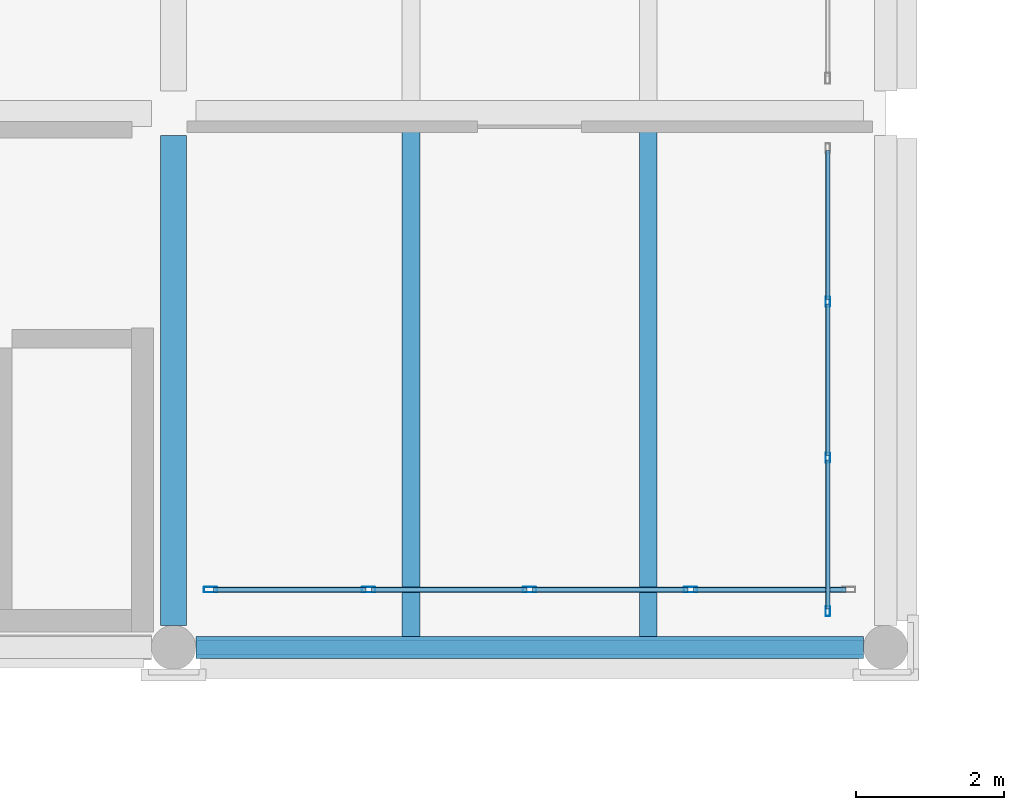
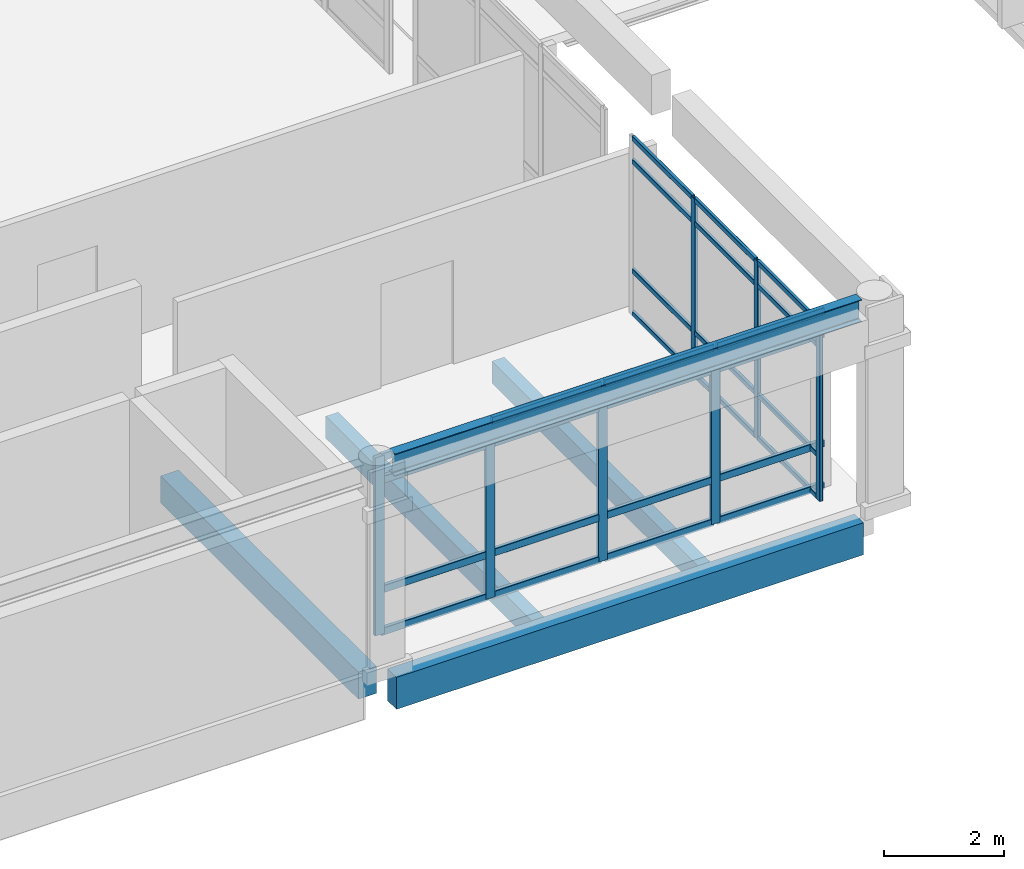
# One storey, part 61 of 180: 35 members, 5 beams, 2 elements without a shape of their own.
"""IFC4 building model written with IfcOpenShell, lengths in metres."""

import ifcopenshell
import ifcopenshell.guid

model = None  # the IFC model being written
_history = None  # IfcOwnerHistory: only IFC2X3 demands one
_inside = {}  # id of a spatial element -> (the spatial element, [elements in it])
_under = {}  # id of a project, library or spatial element -> (it, [spatial elements below it])
_declared = {}  # id of a project -> (the project, [libraries it declares])
_typed = {}  # id of a type object -> (the type object, [elements of that type])
_made_of = {}  # id of a material, layer set ... -> (it, [elements and type objects made of it])


def new_model(schema):
    """Start an empty IFC model of exactly this schema.

    Asked for "IFC4X3", IfcOpenShell would pick the latest addendum, in which some entities
    have other attributes; the version numbers below select the first issue.
    IFC2X3 requires an IfcOwnerHistory on every rooted entity: one is made here for all.
    """
    global model, _history
    if schema == "IFC4X3":
        model = ifcopenshell.file(schema_version=(4, 3, 0, 0))
    else:
        model = ifcopenshell.file(schema=schema)
    _inside.clear()
    _under.clear()
    _declared.clear()
    _typed.clear()
    _made_of.clear()
    _history = None
    if model.schema == "IFC2X3":
        org = make("IfcOrganization", Name="unknown")
        user = make(
            "IfcPersonAndOrganization",
            ThePerson=make("IfcPerson", FamilyName="unknown"),
            TheOrganization=org,
        )
        app = make(
            "IfcApplication",
            ApplicationDeveloper=org,
            Version="unknown",
            ApplicationFullName="unknown",
            ApplicationIdentifier="unknown",
        )
        _history = make(
            "IfcOwnerHistory",
            OwningUser=user,
            OwningApplication=app,
            ChangeAction="ADDED",
            CreationDate=0,
        )
    return model


def make(cls, **values):
    """One entity of the class cls with the attributes given. An attribute that is None is left unset."""
    return model.create_entity(
        cls, **{name: value for name, value in values.items() if value is not None}
    )


def rooted(cls, **values):
    """An entity with a GlobalId (a new one), such as an element, a storey or a relation."""
    return make(cls, GlobalId=ifcopenshell.guid.new(), OwnerHistory=_history, **values)


def si_unit(unit_type, name, prefix=None):
    """IfcSIUnit, for example si_unit("LENGTHUNIT", "METRE", prefix="MILLI")."""
    return make("IfcSIUnit", UnitType=unit_type, Prefix=prefix, Name=name)


def assignment(units):
    """IfcUnitAssignment: the units of a project."""
    return None if units is None else make("IfcUnitAssignment", Units=units)


def point(xyz):
    """IfcCartesianPoint."""
    return None if xyz is None else make("IfcCartesianPoint", Coordinates=xyz)


def direction(xyz):
    """IfcDirection."""
    return None if xyz is None else make("IfcDirection", DirectionRatios=xyz)


def frame(location, z_axis=None, x_axis=None):
    """IfcAxis2Placement3D, a coordinate frame: its origin and axes. An axis left out is left unset."""
    return make(
        "IfcAxis2Placement3D",
        Location=point(location),
        Axis=direction(z_axis),
        RefDirection=direction(x_axis),
    )


def frame_2d(location, x_axis=None):
    """IfcAxis2Placement2D, a coordinate frame in the plane: its origin and x axis."""
    return make(
        "IfcAxis2Placement2D", Location=point(location), RefDirection=direction(x_axis)
    )


def origin():
    """The frame at (0, 0, 0) with its axes left unset."""
    return frame((0.0, 0.0, 0.0))


def origin_2d():
    """The frame at (0, 0) in the plane with its x axis left unset."""
    return frame_2d((0.0, 0.0))


def place(relative_to, where):
    """IfcLocalPlacement: puts the frame where relative to a parent placement (None: the world)."""
    return make(
        "IfcLocalPlacement", PlacementRelTo=relative_to, RelativePlacement=where
    )


def context(
    kind, dimensions, precision=None, world=None, true_north=None, identifier=None
):
    """IfcGeometricRepresentationContext, for example the 3D "Model" context."""
    return make(
        "IfcGeometricRepresentationContext",
        ContextIdentifier=identifier,
        ContextType=kind,
        CoordinateSpaceDimension=dimensions,
        Precision=precision,
        WorldCoordinateSystem=world,
        TrueNorth=true_north,
    )


def subcontext(parent, identifier, kind, view, scale=None):
    """IfcGeometricRepresentationSubContext, for example "Body" below "Model"."""
    return make(
        "IfcGeometricRepresentationSubContext",
        ContextIdentifier=identifier,
        ContextType=kind,
        ParentContext=parent,
        TargetScale=scale,
        TargetView=view,
    )


def project(units=None, contexts=None):
    """IfcProject with its units and contexts."""
    return rooted(
        "IfcProject",
        Name="project",
        RepresentationContexts=contexts,
        UnitsInContext=assignment(units),
    )


def spatial(cls, under=None, at=None, **own):
    """A site, building, storey or space (cls), placed at a placement, below another one or the project."""
    s = rooted(cls, ObjectPlacement=at, **own)
    if under is not None:
        _under.setdefault(under.id(), (under, []))[1].append(s)
    return s


def profile(cls, at=None, kind="AREA", **sizes):
    """A parametric profile (cls). Its sizes go by their IFC names, for example OverallWidth=200.0."""
    return make(cls, ProfileType=kind, Position=at, **sizes)


def rectangle(**sizes):
    """IfcRectangleProfileDef."""
    return profile("IfcRectangleProfileDef", **sizes)


def hollow_rectangle(**sizes):
    """IfcRectangleHollowProfileDef."""
    return profile("IfcRectangleHollowProfileDef", **sizes)


def i_section(**sizes):
    """IfcIShapeProfileDef."""
    return profile("IfcIShapeProfileDef", **sizes)


def extrude(swept, where, along, depth):
    """IfcExtrudedAreaSolid: the profile swept, set in the frame where, extruded along a direction by depth."""
    return make(
        "IfcExtrudedAreaSolid",
        SweptArea=swept,
        Position=where,
        ExtrudedDirection=direction(along),
        Depth=depth,
    )


def shape(context_of_items, identifier, shape_type, items):
    """IfcShapeRepresentation: the items that make up one representation, for example the "Body"."""
    return make(
        "IfcShapeRepresentation",
        ContextOfItems=context_of_items,
        RepresentationIdentifier=identifier,
        RepresentationType=shape_type,
        Items=items,
    )


def material(Name=None, Category=None):
    """IfcMaterial."""
    return make("IfcMaterial", Name=Name, Category=Category)


def layer(
    of_material, thickness, ventilated=None, Name=None, Category=None, Priority=None
):
    """IfcMaterialLayer: one layer of a wall or slab, of a material (None: an air gap)."""
    return make(
        "IfcMaterialLayer",
        Material=of_material,
        LayerThickness=thickness,
        IsVentilated=ventilated,
        Name=Name,
        Category=Category,
        Priority=Priority,
    )


def layer_set(layers, Name=None):
    """IfcMaterialLayerSet."""
    return make("IfcMaterialLayerSet", MaterialLayers=layers, LayerSetName=Name)


def material_profile(
    of_material, cross_section, Name=None, Category=None, Priority=None
):
    """IfcMaterialProfile: a cross section and its material."""
    return make(
        "IfcMaterialProfile",
        Name=Name,
        Material=of_material,
        Profile=cross_section,
        Priority=Priority,
        Category=Category,
    )


def profile_set(profiles, Name=None, composite=None):
    """IfcMaterialProfileSet."""
    return make(
        "IfcMaterialProfileSet",
        Name=Name,
        MaterialProfiles=profiles,
        CompositeProfile=composite,
    )


def made_of(thing, what):
    """Note that an element or type object is made of a material, layer set ...; save() writes the relation."""
    if what is not None:
        _made_of.setdefault(what.id(), (what, []))[1].append(thing)
    return thing


def type_object(cls, material=None, **own):
    """A type object (cls), such as IfcWallType, which elements share."""
    return made_of(rooted(cls, **own), material)


def element(
    cls,
    number,
    at=None,
    inside=None,
    cuts=None,
    type_object=None,
    material=None,
    context=None,
    identifier="Body",
    shape_type=None,
    held_by="IfcProductDefinitionShape",
    body=None,
    shapes=None,
    **own,
):
    """One element of the class cls, such as IfcWall. Its Tag is "e" and its number.

    at: its placement. inside: the storey or other place that contains it. cuts: it is an
    opening in that element (IfcRelVoidsElement). A single representation is given by context,
    identifier, shape_type and body (its items); several are given by shapes. held_by: the class
    of the entity that holds the representations. save() writes the other relations.
    """
    e = rooted(cls, Tag="e%d" % number, ObjectPlacement=at, **own)
    if body is not None:
        shapes = [shape(context, identifier, shape_type, body)]
    if shapes is not None:
        e.Representation = make(held_by, Representations=shapes)
    if inside is not None:
        _inside.setdefault(inside.id(), (inside, []))[1].append(e)
    if cuts is not None:
        rooted(
            "IfcRelVoidsElement", RelatingBuildingElement=cuts, RelatedOpeningElement=e
        )
    if type_object is not None:
        _typed.setdefault(type_object.id(), (type_object, []))[1].append(e)
    return made_of(e, material)


def aggregate(whole, parts):
    """IfcRelAggregates: a whole, such as a stair, and the parts it consists of."""
    return rooted("IfcRelAggregates", RelatingObject=whole, RelatedObjects=parts)


def save(model, path):
    """Write the relations noted so far, then the file.

    IfcRelAggregates (storeys below a building ...), IfcRelContainedInSpatialStructure (elements
    in a storey), IfcRelDefinesByType, IfcRelAssociatesMaterial and IfcRelDeclares: one each for
    every whole, place, type object, material and project.
    """
    for whole, parts in _under.values():
        aggregate(whole, parts)
    for where, things in _inside.values():
        rooted(
            "IfcRelContainedInSpatialStructure",
            RelatedElements=things,
            RelatingStructure=where,
        )
    for kind, things in _typed.values():
        rooted("IfcRelDefinesByType", RelatedObjects=things, RelatingType=kind)
    for what, things in _made_of.values():
        rooted("IfcRelAssociatesMaterial", RelatedObjects=things, RelatingMaterial=what)
    for by, libraries in _declared.values():
        rooted("IfcRelDeclares", RelatingContext=by, RelatedDefinitions=libraries)
    model.write(path)


model = new_model("IFC4")

# Units and contexts
model_context = context("Model", 3, precision=1e-05, world=origin(), true_north=direction((0.0, 1.0)))
body_context = subcontext(model_context, "Body", "Model", "MODEL_VIEW")
ifc_project = project(units=[si_unit("LENGTHUNIT", "METRE"), si_unit("AREAUNIT", "SQUARE_METRE"), si_unit("VOLUMEUNIT", "CUBIC_METRE"), si_unit("PLANEANGLEUNIT", "RADIAN"), si_unit("MASSUNIT", "GRAM", prefix="KILO")], contexts=[model_context])

# Site, building, storey
site_placement = place(None, origin())
site = spatial("IfcSite", under=ifc_project, at=site_placement, CompositionType="ELEMENT")
building_placement = place(site_placement, origin())
building = spatial("IfcBuilding", under=site, at=building_placement, Name="Asteropetra Specialist Clinic", CompositionType="ELEMENT")
storey_placement = place(building_placement, frame((0.0, 0.0, 4.419921875)))
storey = spatial("IfcBuildingStorey", under=building, at=storey_placement, Name="L01", CompositionType="ELEMENT", Elevation=4.419921875)

# Beams
ifc_material_1 = material(Name="Concrete C35/45", Category="concrete")
ifc_material_profile_1 = material_profile(ifc_material_1, rectangle(XDim=0.35009765625, YDim=0.550048828125, at=origin_2d()), Name="RCB 350x550")
ifc_profile_set_1 = profile_set([ifc_material_profile_1], Name="Concrete C35/45")
beam_type_1 = type_object("IfcBeamType", Name="BM-RC350x550", PredefinedType="BEAM", material=ifc_profile_set_1)
beam_1_placement = place(storey_placement, frame((86.39990234375, 33.89990234375, -0.534912109375), z_axis=(0.0, 1.0, 0.0), x_axis=(-1.0, 0.0, 0.0)))
element("IfcBeam", 1, at=beam_1_placement, inside=storey, type_object=beam_type_1, Name="Beam BBM10-0775", PredefinedType="BEAM", context=body_context, shape_type="SweptSolid", body=[
    extrude(rectangle(XDim=0.35009765625, YDim=0.550048828125, at=origin_2d()), origin(), (0.0, 0.0, 1.0), 6.60009765625),
])
ifc_material_2 = material(Name="Steel S355", Category="steel")
ifc_material_profile_2 = material_profile(ifc_material_2, i_section(OverallWidth=0.18994140625, OverallDepth=0.449951171875, WebThickness=0.009521484375, FlangeThickness=0.0146484375, FilletRadius=0.02099609375, at=origin_2d()), Name="IPE 450")
ifc_profile_set_2 = profile_set([ifc_material_profile_2], Name="Steel S355")
beam_type_2 = type_object("IfcBeamType", Name="BM-STL-IPE450", PredefinedType="BEAM", material=ifc_profile_set_2)
beam_2_placement = place(storey_placement, frame((86.699951171875, 33.60009765625, 4.030029296875), z_axis=(1.0, 0.0, 0.0), x_axis=(0.0, 1.0, 0.0)))
element("IfcBeam", 2, at=beam_2_placement, inside=storey, type_object=beam_type_2, Name="Pavilion Eave Girder EG3-86-33", PredefinedType="BEAM", context=body_context, shape_type="SweptSolid", body=[
    extrude(i_section(OverallWidth=0.18994140625, OverallDepth=0.449951171875, WebThickness=0.009521484375, FlangeThickness=0.0146484375, FilletRadius=0.02099609375, at=origin_2d()), origin(), (0.0, 0.0, 1.0), 9.0),
])

# Curtain wall, members
ifc_material_3 = material(Name="Aluminium and low-E glass", Category="aluminium")
ifc_layer = layer(ifc_material_3, 0.14990234375)
ifc_layer_set = layer_set([ifc_layer], Name="Aluminium and low-E glass")
curtain_wall_type = type_object("IfcCurtainWallType", Name="CW-SYS-11", PredefinedType="USERDEFINED", material=ifc_layer_set)
curtain_wall_1_placement = place(storey_placement, origin())
curtain_wall_1 = element("IfcCurtainWall", 3, at=curtain_wall_1_placement, inside=storey, type_object=curtain_wall_type, Name="Curtain Wall CW-176", ObjectType="STICK GLAZED COLONNADE", PredefinedType="USERDEFINED")
ifc_material_4 = material(Name="Aluminium 6063-T6", Category="aluminium")
ifc_material_profile_3 = material_profile(ifc_material_4, hollow_rectangle(XDim=0.06005859375, YDim=0.135009765625, WallThickness=0.00341796875, InnerFilletRadius=0.00341796875, OuterFilletRadius=0.007080078125, at=origin_2d()), Name="MUL 135x60x3.5")
ifc_profile_set_3 = profile_set([ifc_material_profile_3], Name="Aluminium 6063-T6")
member_type_1 = type_object("IfcMemberType", Name="CWM-135x60", PredefinedType="MULLION", material=ifc_profile_set_3)
member_1_placement = place(storey_placement, frame((95.219970703125, 34.090087890625, 0.0), z_axis=(0.0, 0.0, 1.0), x_axis=(-1.0, 0.0, 0.0)))
member_1 = element("IfcMember", 4, at=member_1_placement, type_object=member_type_1, Name="CW-176 mullion 1", PredefinedType="MULLION", context=body_context, shape_type="SweptSolid", body=[
    extrude(hollow_rectangle(XDim=0.06005859375, YDim=0.135009765625, WallThickness=0.00341796875, InnerFilletRadius=0.00341796875, OuterFilletRadius=0.007080078125, at=origin_2d()), origin(), (0.0, 0.0, 1.0), 3.630126953125),
])
member_2_placement = place(storey_placement, frame((95.219970703125, 36.159912109375, 0.0), z_axis=(0.0, 0.0, 1.0), x_axis=(-1.0, 0.0, 0.0)))
member_2 = element("IfcMember", 5, at=member_2_placement, type_object=member_type_1, Name="CW-176 mullion 2", PredefinedType="MULLION", context=body_context, shape_type="SweptSolid", body=[
    extrude(hollow_rectangle(XDim=0.06005859375, YDim=0.135009765625, WallThickness=0.00341796875, InnerFilletRadius=0.00341796875, OuterFilletRadius=0.007080078125, at=origin_2d()), origin(), (0.0, 0.0, 1.0), 3.630126953125),
])
member_3_placement = place(storey_placement, frame((95.219970703125, 38.260009765625, 0.0), z_axis=(0.0, 0.0, 1.0), x_axis=(-1.0, 0.0, 0.0)))
member_3 = element("IfcMember", 6, at=member_3_placement, type_object=member_type_1, Name="CW-176 mullion 3", PredefinedType="MULLION", context=body_context, shape_type="SweptSolid", body=[
    extrude(hollow_rectangle(XDim=0.06005859375, YDim=0.135009765625, WallThickness=0.00341796875, InnerFilletRadius=0.00341796875, OuterFilletRadius=0.007080078125, at=origin_2d()), origin(), (0.0, 0.0, 1.0), 3.630126953125),
])

curtain_wall_2_placement = place(storey_placement, origin())
curtain_wall_2 = element("IfcCurtainWall", 7, at=curtain_wall_2_placement, inside=storey, type_object=curtain_wall_type, Name="Curtain Wall CW-174", ObjectType="STICK GLAZED COLONNADE", PredefinedType="USERDEFINED")
ifc_material_5 = material(Name="Aluminium 6063-T6", Category="aluminium")
ifc_material_profile_4 = material_profile(ifc_material_5, hollow_rectangle(XDim=0.074951171875, YDim=0.179931640625, WallThickness=0.00390625, InnerFilletRadius=0.00390625, OuterFilletRadius=0.008056640625, at=origin_2d()), Name="MUL 180x75x4.0")
ifc_profile_set_4 = profile_set([ifc_material_profile_4], Name="Aluminium 6063-T6")
member_type_2 = type_object("IfcMemberType", Name="CWM-180x75", PredefinedType="MULLION", material=ifc_profile_set_4)
member_4_placement = place(storey_placement, frame((86.8974609375, 34.3798828125, 0.0), z_axis=(0.0, 0.0, 1.0), x_axis=(0.0, 1.0, 0.0)))
member_4 = element("IfcMember", 8, at=member_4_placement, type_object=member_type_2, Name="CW-174 mullion 1", PredefinedType="MULLION", context=body_context, shape_type="SweptSolid", body=[
    extrude(hollow_rectangle(XDim=0.074951171875, YDim=0.179931640625, WallThickness=0.00390625, InnerFilletRadius=0.00390625, OuterFilletRadius=0.008056640625, at=origin_2d()), origin(), (0.0, 0.0, 1.0), 3.630126953125),
])
member_5_placement = place(storey_placement, frame((89.030029296875, 34.3798828125, 0.0), z_axis=(0.0, 0.0, 1.0), x_axis=(0.0, 1.0, 0.0)))
member_5 = element("IfcMember", 9, at=member_5_placement, type_object=member_type_2, Name="CW-174 mullion 2", PredefinedType="MULLION", context=body_context, shape_type="SweptSolid", body=[
    extrude(hollow_rectangle(XDim=0.074951171875, YDim=0.179931640625, WallThickness=0.00390625, InnerFilletRadius=0.00390625, OuterFilletRadius=0.008056640625, at=origin_2d()), origin(), (0.0, 0.0, 1.0), 3.630126953125),
])
member_6_placement = place(storey_placement, frame((91.199951171875, 34.3798828125, 0.0), z_axis=(0.0, 0.0, 1.0), x_axis=(0.0, 1.0, 0.0)))
member_6 = element("IfcMember", 10, at=member_6_placement, type_object=member_type_2, Name="CW-174 mullion 3", PredefinedType="MULLION", context=body_context, shape_type="SweptSolid", body=[
    extrude(hollow_rectangle(XDim=0.074951171875, YDim=0.179931640625, WallThickness=0.00390625, InnerFilletRadius=0.00390625, OuterFilletRadius=0.008056640625, at=origin_2d()), origin(), (0.0, 0.0, 1.0), 3.630126953125),
])
member_7_placement = place(storey_placement, frame((93.3701171875, 34.3798828125, 0.0), z_axis=(0.0, 0.0, 1.0), x_axis=(0.0, 1.0, 0.0)))
member_7 = element("IfcMember", 11, at=member_7_placement, type_object=member_type_2, Name="CW-174 mullion 4", PredefinedType="MULLION", context=body_context, shape_type="SweptSolid", body=[
    extrude(hollow_rectangle(XDim=0.074951171875, YDim=0.179931640625, WallThickness=0.00390625, InnerFilletRadius=0.00390625, OuterFilletRadius=0.008056640625, at=origin_2d()), origin(), (0.0, 0.0, 1.0), 3.630126953125),
])

# Member
ifc_material_6 = material(Name="Aluminium 6063-T6", Category="aluminium")
ifc_material_profile_5 = material_profile(ifc_material_6, hollow_rectangle(XDim=0.06005859375, YDim=0.10009765625, WallThickness=0.00341796875, InnerFilletRadius=0.00341796875, OuterFilletRadius=0.007080078125, at=origin_2d()), Name="TRN 100x60x3.5")
ifc_profile_set_5 = profile_set([ifc_material_profile_5], Name="Aluminium 6063-T6")
member_type_3 = type_object("IfcMemberType", Name="CWT-100x60", PredefinedType="USERDEFINED", material=ifc_profile_set_5)
member_8_placement = place(storey_placement, frame((95.219970703125, 34.1201171875, 0.030029296875), z_axis=(0.0, 1.0, 0.0), x_axis=(-1.0, 0.0, 0.0)))
member_8 = element("IfcMember", 12, at=member_8_placement, type_object=member_type_3, Name="CW-176 transom 1.1", ObjectType="TRANSOM", PredefinedType="USERDEFINED", context=body_context, shape_type="SweptSolid", body=[
    extrude(hollow_rectangle(XDim=0.06005859375, YDim=0.10009765625, WallThickness=0.00341796875, InnerFilletRadius=0.00341796875, OuterFilletRadius=0.007080078125, at=origin_2d()), origin(), (0.0, 0.0, 1.0), 2.009765625),
])

member_9_placement = place(storey_placement, frame((95.219970703125, 34.1201171875, 0.900146484375), z_axis=(0.0, 1.0, 0.0), x_axis=(-1.0, 0.0, 0.0)))
member_9 = element("IfcMember", 13, at=member_9_placement, type_object=member_type_3, Name="CW-176 transom 1.2", ObjectType="TRANSOM", PredefinedType="USERDEFINED", context=body_context, shape_type="SweptSolid", body=[
    extrude(hollow_rectangle(XDim=0.06005859375, YDim=0.10009765625, WallThickness=0.00341796875, InnerFilletRadius=0.00341796875, OuterFilletRadius=0.007080078125, at=origin_2d()), origin(), (0.0, 0.0, 1.0), 2.009765625),
])

member_10_placement = place(storey_placement, frame((95.219970703125, 34.1201171875, 3.130126953125), z_axis=(0.0, 1.0, 0.0), x_axis=(-1.0, 0.0, 0.0)))
member_10 = element("IfcMember", 14, at=member_10_placement, type_object=member_type_3, Name="CW-176 transom 1.3", ObjectType="TRANSOM", PredefinedType="USERDEFINED", context=body_context, shape_type="SweptSolid", body=[
    extrude(hollow_rectangle(XDim=0.06005859375, YDim=0.10009765625, WallThickness=0.00341796875, InnerFilletRadius=0.00341796875, OuterFilletRadius=0.007080078125, at=origin_2d()), origin(), (0.0, 0.0, 1.0), 2.009765625),
])

member_11_placement = place(storey_placement, frame((95.219970703125, 34.1201171875, 3.60009765625), z_axis=(0.0, 1.0, 0.0), x_axis=(-1.0, 0.0, 0.0)))
member_11 = element("IfcMember", 15, at=member_11_placement, type_object=member_type_3, Name="CW-176 transom 1.4", ObjectType="TRANSOM", PredefinedType="USERDEFINED", context=body_context, shape_type="SweptSolid", body=[
    extrude(hollow_rectangle(XDim=0.06005859375, YDim=0.10009765625, WallThickness=0.00341796875, InnerFilletRadius=0.00341796875, OuterFilletRadius=0.007080078125, at=origin_2d()), origin(), (0.0, 0.0, 1.0), 2.009765625),
])

member_12_placement = place(storey_placement, frame((95.219970703125, 36.18994140625, 0.030029296875), z_axis=(0.0, 1.0, 0.0), x_axis=(-1.0, 0.0, 0.0)))
member_12 = element("IfcMember", 16, at=member_12_placement, type_object=member_type_3, Name="CW-176 transom 2.1", ObjectType="TRANSOM", PredefinedType="USERDEFINED", context=body_context, shape_type="SweptSolid", body=[
    extrude(hollow_rectangle(XDim=0.06005859375, YDim=0.10009765625, WallThickness=0.00341796875, InnerFilletRadius=0.00341796875, OuterFilletRadius=0.007080078125, at=origin_2d()), origin(), (0.0, 0.0, 1.0), 2.0400390625),
])

member_13_placement = place(storey_placement, frame((95.219970703125, 36.18994140625, 0.900146484375), z_axis=(0.0, 1.0, 0.0), x_axis=(-1.0, 0.0, 0.0)))
member_13 = element("IfcMember", 17, at=member_13_placement, type_object=member_type_3, Name="CW-176 transom 2.2", ObjectType="TRANSOM", PredefinedType="USERDEFINED", context=body_context, shape_type="SweptSolid", body=[
    extrude(hollow_rectangle(XDim=0.06005859375, YDim=0.10009765625, WallThickness=0.00341796875, InnerFilletRadius=0.00341796875, OuterFilletRadius=0.007080078125, at=origin_2d()), origin(), (0.0, 0.0, 1.0), 2.0400390625),
])

member_14_placement = place(storey_placement, frame((95.219970703125, 36.18994140625, 3.130126953125), z_axis=(0.0, 1.0, 0.0), x_axis=(-1.0, 0.0, 0.0)))
member_14 = element("IfcMember", 18, at=member_14_placement, type_object=member_type_3, Name="CW-176 transom 2.3", ObjectType="TRANSOM", PredefinedType="USERDEFINED", context=body_context, shape_type="SweptSolid", body=[
    extrude(hollow_rectangle(XDim=0.06005859375, YDim=0.10009765625, WallThickness=0.00341796875, InnerFilletRadius=0.00341796875, OuterFilletRadius=0.007080078125, at=origin_2d()), origin(), (0.0, 0.0, 1.0), 2.0400390625),
])

member_15_placement = place(storey_placement, frame((95.219970703125, 36.18994140625, 3.60009765625), z_axis=(0.0, 1.0, 0.0), x_axis=(-1.0, 0.0, 0.0)))
member_15 = element("IfcMember", 19, at=member_15_placement, type_object=member_type_3, Name="CW-176 transom 2.4", ObjectType="TRANSOM", PredefinedType="USERDEFINED", context=body_context, shape_type="SweptSolid", body=[
    extrude(hollow_rectangle(XDim=0.06005859375, YDim=0.10009765625, WallThickness=0.00341796875, InnerFilletRadius=0.00341796875, OuterFilletRadius=0.007080078125, at=origin_2d()), origin(), (0.0, 0.0, 1.0), 2.0400390625),
])

member_16_placement = place(storey_placement, frame((95.219970703125, 38.2900390625, 0.030029296875), z_axis=(0.0, 1.0, 0.0), x_axis=(-1.0, 0.0, 0.0)))
member_16 = element("IfcMember", 20, at=member_16_placement, type_object=member_type_3, Name="CW-176 transom 3.1", ObjectType="TRANSOM", PredefinedType="USERDEFINED", context=body_context, shape_type="SweptSolid", body=[
    extrude(hollow_rectangle(XDim=0.06005859375, YDim=0.10009765625, WallThickness=0.00341796875, InnerFilletRadius=0.00341796875, OuterFilletRadius=0.007080078125, at=origin_2d()), origin(), (0.0, 0.0, 1.0), 2.010009765625),
])

member_17_placement = place(storey_placement, frame((95.219970703125, 38.2900390625, 0.900146484375), z_axis=(0.0, 1.0, 0.0), x_axis=(-1.0, 0.0, 0.0)))
member_17 = element("IfcMember", 21, at=member_17_placement, type_object=member_type_3, Name="CW-176 transom 3.2", ObjectType="TRANSOM", PredefinedType="USERDEFINED", context=body_context, shape_type="SweptSolid", body=[
    extrude(hollow_rectangle(XDim=0.06005859375, YDim=0.10009765625, WallThickness=0.00341796875, InnerFilletRadius=0.00341796875, OuterFilletRadius=0.007080078125, at=origin_2d()), origin(), (0.0, 0.0, 1.0), 2.010009765625),
])

member_18_placement = place(storey_placement, frame((95.219970703125, 38.2900390625, 3.130126953125), z_axis=(0.0, 1.0, 0.0), x_axis=(-1.0, 0.0, 0.0)))
member_18 = element("IfcMember", 22, at=member_18_placement, type_object=member_type_3, Name="CW-176 transom 3.3", ObjectType="TRANSOM", PredefinedType="USERDEFINED", context=body_context, shape_type="SweptSolid", body=[
    extrude(hollow_rectangle(XDim=0.06005859375, YDim=0.10009765625, WallThickness=0.00341796875, InnerFilletRadius=0.00341796875, OuterFilletRadius=0.007080078125, at=origin_2d()), origin(), (0.0, 0.0, 1.0), 2.010009765625),
])

member_19_placement = place(storey_placement, frame((95.219970703125, 38.2900390625, 3.60009765625), z_axis=(0.0, 1.0, 0.0), x_axis=(-1.0, 0.0, 0.0)))
member_19 = element("IfcMember", 23, at=member_19_placement, type_object=member_type_3, Name="CW-176 transom 3.4", ObjectType="TRANSOM", PredefinedType="USERDEFINED", context=body_context, shape_type="SweptSolid", body=[
    extrude(hollow_rectangle(XDim=0.06005859375, YDim=0.10009765625, WallThickness=0.00341796875, InnerFilletRadius=0.00341796875, OuterFilletRadius=0.007080078125, at=origin_2d()), origin(), (0.0, 0.0, 1.0), 2.010009765625),
])

aggregate(curtain_wall_1, [member_1, member_2, member_3, member_8, member_9, member_10, member_11, member_12, member_13, member_14, member_15, member_16, member_17, member_18, member_19])

ifc_material_7 = material(Name="Aluminium 6063-T6", Category="aluminium")
ifc_material_profile_6 = material_profile(ifc_material_7, hollow_rectangle(XDim=0.074951171875, YDim=0.14990234375, WallThickness=0.00390625, InnerFilletRadius=0.00390625, OuterFilletRadius=0.008056640625, at=origin_2d()), Name="TRN 150x75x4.0")
ifc_profile_set_6 = profile_set([ifc_material_profile_6], Name="Aluminium 6063-T6")
member_type_4 = type_object("IfcMemberType", Name="CWT-150x75", PredefinedType="USERDEFINED", material=ifc_profile_set_6)
member_20_placement = place(storey_placement, frame((86.93505859375, 34.3798828125, 0.03759765625), z_axis=(1.0, 0.0, 0.0), x_axis=(0.0, 1.0, 0.0)))
member_20 = element("IfcMember", 24, at=member_20_placement, type_object=member_type_4, Name="CW-174 transom 1.1", ObjectType="TRANSOM", PredefinedType="USERDEFINED", context=body_context, shape_type="SweptSolid", body=[
    extrude(hollow_rectangle(XDim=0.074951171875, YDim=0.14990234375, WallThickness=0.00390625, InnerFilletRadius=0.00390625, OuterFilletRadius=0.008056640625, at=origin_2d()), origin(), (0.0, 0.0, 1.0), 2.057373046875),
])

member_21_placement = place(storey_placement, frame((86.93505859375, 34.3798828125, 0.900146484375), z_axis=(1.0, 0.0, 0.0), x_axis=(0.0, 1.0, 0.0)))
member_21 = element("IfcMember", 25, at=member_21_placement, type_object=member_type_4, Name="CW-174 transom 1.2", ObjectType="TRANSOM", PredefinedType="USERDEFINED", context=body_context, shape_type="SweptSolid", body=[
    extrude(hollow_rectangle(XDim=0.074951171875, YDim=0.14990234375, WallThickness=0.00390625, InnerFilletRadius=0.00390625, OuterFilletRadius=0.008056640625, at=origin_2d()), origin(), (0.0, 0.0, 1.0), 2.057373046875),
])

member_22_placement = place(storey_placement, frame((86.93505859375, 34.3798828125, 3.130126953125), z_axis=(1.0, 0.0, 0.0), x_axis=(0.0, 1.0, 0.0)))
member_22 = element("IfcMember", 26, at=member_22_placement, type_object=member_type_4, Name="CW-174 transom 1.3", ObjectType="TRANSOM", PredefinedType="USERDEFINED", context=body_context, shape_type="SweptSolid", body=[
    extrude(hollow_rectangle(XDim=0.074951171875, YDim=0.14990234375, WallThickness=0.00390625, InnerFilletRadius=0.00390625, OuterFilletRadius=0.008056640625, at=origin_2d()), origin(), (0.0, 0.0, 1.0), 2.057373046875),
])

member_23_placement = place(storey_placement, frame((86.93505859375, 34.3798828125, 3.592529296875), z_axis=(1.0, 0.0, 0.0), x_axis=(0.0, 1.0, 0.0)))
member_23 = element("IfcMember", 27, at=member_23_placement, type_object=member_type_4, Name="CW-174 transom 1.4", ObjectType="TRANSOM", PredefinedType="USERDEFINED", context=body_context, shape_type="SweptSolid", body=[
    extrude(hollow_rectangle(XDim=0.074951171875, YDim=0.14990234375, WallThickness=0.00390625, InnerFilletRadius=0.00390625, OuterFilletRadius=0.008056640625, at=origin_2d()), origin(), (0.0, 0.0, 1.0), 2.057373046875),
])

member_24_placement = place(storey_placement, frame((89.0673828125, 34.3798828125, 0.03759765625), z_axis=(1.0, 0.0, 0.0), x_axis=(0.0, 1.0, 0.0)))
member_24 = element("IfcMember", 28, at=member_24_placement, type_object=member_type_4, Name="CW-174 transom 2.1", ObjectType="TRANSOM", PredefinedType="USERDEFINED", context=body_context, shape_type="SweptSolid", body=[
    extrude(hollow_rectangle(XDim=0.074951171875, YDim=0.14990234375, WallThickness=0.00390625, InnerFilletRadius=0.00390625, OuterFilletRadius=0.008056640625, at=origin_2d()), origin(), (0.0, 0.0, 1.0), 2.09521484375),
])

member_25_placement = place(storey_placement, frame((89.0673828125, 34.3798828125, 0.900146484375), z_axis=(1.0, 0.0, 0.0), x_axis=(0.0, 1.0, 0.0)))
member_25 = element("IfcMember", 29, at=member_25_placement, type_object=member_type_4, Name="CW-174 transom 2.2", ObjectType="TRANSOM", PredefinedType="USERDEFINED", context=body_context, shape_type="SweptSolid", body=[
    extrude(hollow_rectangle(XDim=0.074951171875, YDim=0.14990234375, WallThickness=0.00390625, InnerFilletRadius=0.00390625, OuterFilletRadius=0.008056640625, at=origin_2d()), origin(), (0.0, 0.0, 1.0), 2.09521484375),
])

member_26_placement = place(storey_placement, frame((89.0673828125, 34.3798828125, 3.130126953125), z_axis=(1.0, 0.0, 0.0), x_axis=(0.0, 1.0, 0.0)))
member_26 = element("IfcMember", 30, at=member_26_placement, type_object=member_type_4, Name="CW-174 transom 2.3", ObjectType="TRANSOM", PredefinedType="USERDEFINED", context=body_context, shape_type="SweptSolid", body=[
    extrude(hollow_rectangle(XDim=0.074951171875, YDim=0.14990234375, WallThickness=0.00390625, InnerFilletRadius=0.00390625, OuterFilletRadius=0.008056640625, at=origin_2d()), origin(), (0.0, 0.0, 1.0), 2.09521484375),
])

member_27_placement = place(storey_placement, frame((89.0673828125, 34.3798828125, 3.592529296875), z_axis=(1.0, 0.0, 0.0), x_axis=(0.0, 1.0, 0.0)))
member_27 = element("IfcMember", 31, at=member_27_placement, type_object=member_type_4, Name="CW-174 transom 2.4", ObjectType="TRANSOM", PredefinedType="USERDEFINED", context=body_context, shape_type="SweptSolid", body=[
    extrude(hollow_rectangle(XDim=0.074951171875, YDim=0.14990234375, WallThickness=0.00390625, InnerFilletRadius=0.00390625, OuterFilletRadius=0.008056640625, at=origin_2d()), origin(), (0.0, 0.0, 1.0), 2.09521484375),
])

member_28_placement = place(storey_placement, frame((91.237548828125, 34.3798828125, 0.03759765625), z_axis=(1.0, 0.0, 0.0), x_axis=(0.0, 1.0, 0.0)))
member_28 = element("IfcMember", 32, at=member_28_placement, type_object=member_type_4, Name="CW-174 transom 3.1", ObjectType="TRANSOM", PredefinedType="USERDEFINED", context=body_context, shape_type="SweptSolid", body=[
    extrude(hollow_rectangle(XDim=0.074951171875, YDim=0.14990234375, WallThickness=0.00390625, InnerFilletRadius=0.00390625, OuterFilletRadius=0.008056640625, at=origin_2d()), origin(), (0.0, 0.0, 1.0), 2.094970703125),
])

member_29_placement = place(storey_placement, frame((91.237548828125, 34.3798828125, 0.900146484375), z_axis=(1.0, 0.0, 0.0), x_axis=(0.0, 1.0, 0.0)))
member_29 = element("IfcMember", 33, at=member_29_placement, type_object=member_type_4, Name="CW-174 transom 3.2", ObjectType="TRANSOM", PredefinedType="USERDEFINED", context=body_context, shape_type="SweptSolid", body=[
    extrude(hollow_rectangle(XDim=0.074951171875, YDim=0.14990234375, WallThickness=0.00390625, InnerFilletRadius=0.00390625, OuterFilletRadius=0.008056640625, at=origin_2d()), origin(), (0.0, 0.0, 1.0), 2.094970703125),
])

member_30_placement = place(storey_placement, frame((91.237548828125, 34.3798828125, 3.130126953125), z_axis=(1.0, 0.0, 0.0), x_axis=(0.0, 1.0, 0.0)))
member_30 = element("IfcMember", 34, at=member_30_placement, type_object=member_type_4, Name="CW-174 transom 3.3", ObjectType="TRANSOM", PredefinedType="USERDEFINED", context=body_context, shape_type="SweptSolid", body=[
    extrude(hollow_rectangle(XDim=0.074951171875, YDim=0.14990234375, WallThickness=0.00390625, InnerFilletRadius=0.00390625, OuterFilletRadius=0.008056640625, at=origin_2d()), origin(), (0.0, 0.0, 1.0), 2.094970703125),
])

member_31_placement = place(storey_placement, frame((91.237548828125, 34.3798828125, 3.592529296875), z_axis=(1.0, 0.0, 0.0), x_axis=(0.0, 1.0, 0.0)))
member_31 = element("IfcMember", 35, at=member_31_placement, type_object=member_type_4, Name="CW-174 transom 3.4", ObjectType="TRANSOM", PredefinedType="USERDEFINED", context=body_context, shape_type="SweptSolid", body=[
    extrude(hollow_rectangle(XDim=0.074951171875, YDim=0.14990234375, WallThickness=0.00390625, InnerFilletRadius=0.00390625, OuterFilletRadius=0.008056640625, at=origin_2d()), origin(), (0.0, 0.0, 1.0), 2.094970703125),
])

member_32_placement = place(storey_placement, frame((93.407470703125, 34.3798828125, 0.03759765625), z_axis=(1.0, 0.0, 0.0), x_axis=(0.0, 1.0, 0.0)))
member_32 = element("IfcMember", 36, at=member_32_placement, type_object=member_type_4, Name="CW-174 transom 4.1", ObjectType="TRANSOM", PredefinedType="USERDEFINED", context=body_context, shape_type="SweptSolid", body=[
    extrude(hollow_rectangle(XDim=0.074951171875, YDim=0.14990234375, WallThickness=0.00390625, InnerFilletRadius=0.00390625, OuterFilletRadius=0.008056640625, at=origin_2d()), origin(), (0.0, 0.0, 1.0), 2.0576171875),
])

member_33_placement = place(storey_placement, frame((93.407470703125, 34.3798828125, 0.900146484375), z_axis=(1.0, 0.0, 0.0), x_axis=(0.0, 1.0, 0.0)))
member_33 = element("IfcMember", 37, at=member_33_placement, type_object=member_type_4, Name="CW-174 transom 4.2", ObjectType="TRANSOM", PredefinedType="USERDEFINED", context=body_context, shape_type="SweptSolid", body=[
    extrude(hollow_rectangle(XDim=0.074951171875, YDim=0.14990234375, WallThickness=0.00390625, InnerFilletRadius=0.00390625, OuterFilletRadius=0.008056640625, at=origin_2d()), origin(), (0.0, 0.0, 1.0), 2.0576171875),
])

member_34_placement = place(storey_placement, frame((93.407470703125, 34.3798828125, 3.130126953125), z_axis=(1.0, 0.0, 0.0), x_axis=(0.0, 1.0, 0.0)))
member_34 = element("IfcMember", 38, at=member_34_placement, type_object=member_type_4, Name="CW-174 transom 4.3", ObjectType="TRANSOM", PredefinedType="USERDEFINED", context=body_context, shape_type="SweptSolid", body=[
    extrude(hollow_rectangle(XDim=0.074951171875, YDim=0.14990234375, WallThickness=0.00390625, InnerFilletRadius=0.00390625, OuterFilletRadius=0.008056640625, at=origin_2d()), origin(), (0.0, 0.0, 1.0), 2.0576171875),
])

member_35_placement = place(storey_placement, frame((93.407470703125, 34.3798828125, 3.592529296875), z_axis=(1.0, 0.0, 0.0), x_axis=(0.0, 1.0, 0.0)))
member_35 = element("IfcMember", 39, at=member_35_placement, type_object=member_type_4, Name="CW-174 transom 4.4", ObjectType="TRANSOM", PredefinedType="USERDEFINED", context=body_context, shape_type="SweptSolid", body=[
    extrude(hollow_rectangle(XDim=0.074951171875, YDim=0.14990234375, WallThickness=0.00390625, InnerFilletRadius=0.00390625, OuterFilletRadius=0.008056640625, at=origin_2d()), origin(), (0.0, 0.0, 1.0), 2.0576171875),
])

aggregate(curtain_wall_2, [member_4, member_5, member_6, member_7, member_20, member_21, member_22, member_23, member_24, member_25, member_26, member_27, member_28, member_29, member_30, member_31, member_32, member_33, member_34, member_35])

# Beams
ifc_material_8 = material(Name="Concrete C35/45", Category="concrete")
ifc_material_profile_7 = material_profile(ifc_material_8, rectangle(XDim=0.239990234375, YDim=0.449951171875, at=origin_2d()), Name="RCJ 240x450")
ifc_profile_set_7 = profile_set([ifc_material_profile_7], Name="Concrete C35/45")
beam_type_3 = type_object("IfcBeamType", Name="JST-RC240x450", PredefinedType="JOIST", material=ifc_profile_set_7)
for number, where, z_axis, x_axis, name in (
    (40, (89.60009765625, 33.75, -0.48486328125), (0.0, 1.0, 0.0), (-1.0, 0.0, 0.0), "Joist JJST03-0777"),
    (41, (92.800048828125, 33.75, -0.48486328125), (0.0, 1.0, 0.0), (-1.0, 0.0, 0.0), "Joist JJST03-0778"),
):
    element("IfcBeam", number, at=place(storey_placement, frame(where, z_axis=z_axis, x_axis=x_axis)), inside=storey, type_object=beam_type_3, Name=name, PredefinedType="JOIST", context=body_context, shape_type="SweptSolid", body=[
        extrude(rectangle(XDim=0.239990234375, YDim=0.449951171875, at=origin_2d()), origin(), (0.0, 0.0, 1.0), 6.875),
    ])
ifc_material_9 = material(Name="Concrete C35/45", Category="concrete")
ifc_material_profile_8 = material_profile(ifc_material_9, rectangle(XDim=0.300048828125, YDim=0.64990234375, at=origin_2d()), Name="RCS 300x650")
ifc_profile_set_8 = profile_set([ifc_material_profile_8], Name="Concrete C35/45")
beam_type_4 = type_object("IfcBeamType", Name="SPN-RC300x650", PredefinedType="SPANDREL", material=ifc_profile_set_8)
beam_3_placement = place(storey_placement, frame((86.699951171875, 33.60009765625, -0.5849609375), z_axis=(1.0, 0.0, 0.0), x_axis=(0.0, 1.0, 0.0)))
element("IfcBeam", 42, at=beam_3_placement, inside=storey, type_object=beam_type_4, Name="Beam BSPN03-0765", PredefinedType="SPANDREL", context=body_context, shape_type="SweptSolid", body=[
    extrude(rectangle(XDim=0.300048828125, YDim=0.64990234375, at=origin_2d()), origin(), (0.0, 0.0, 1.0), 9.0),
])

save(model, "model.ifc")
